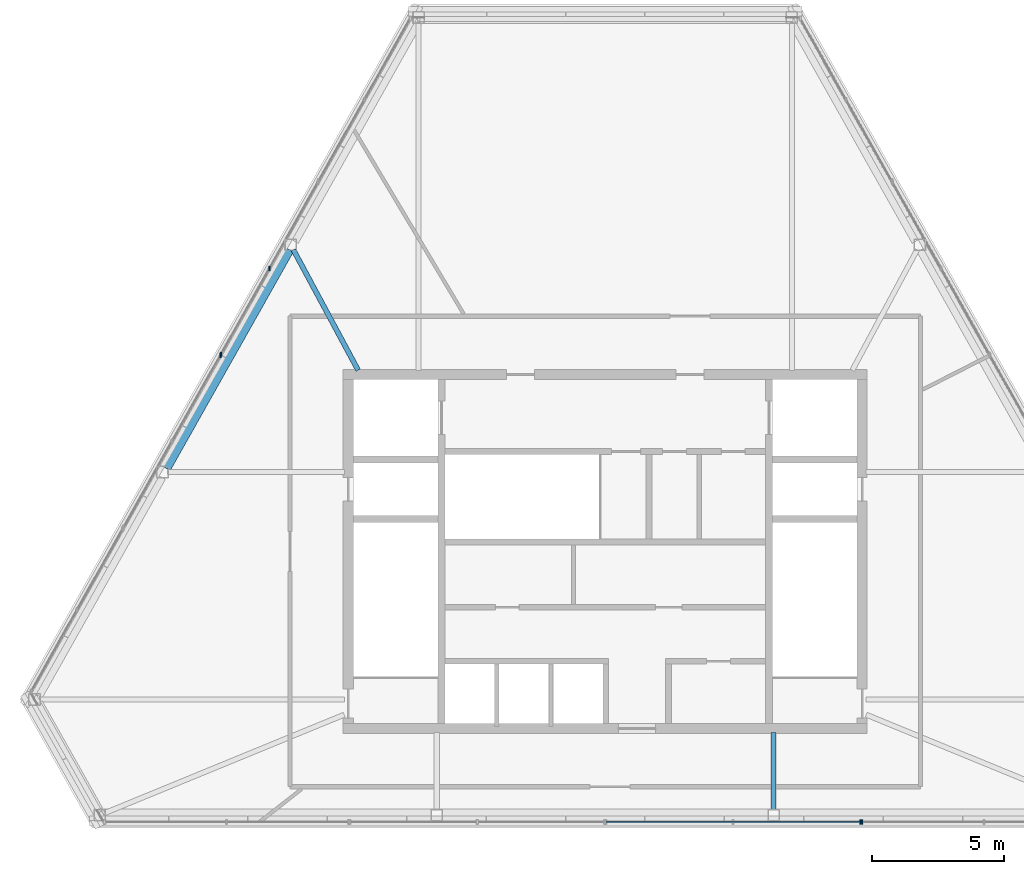
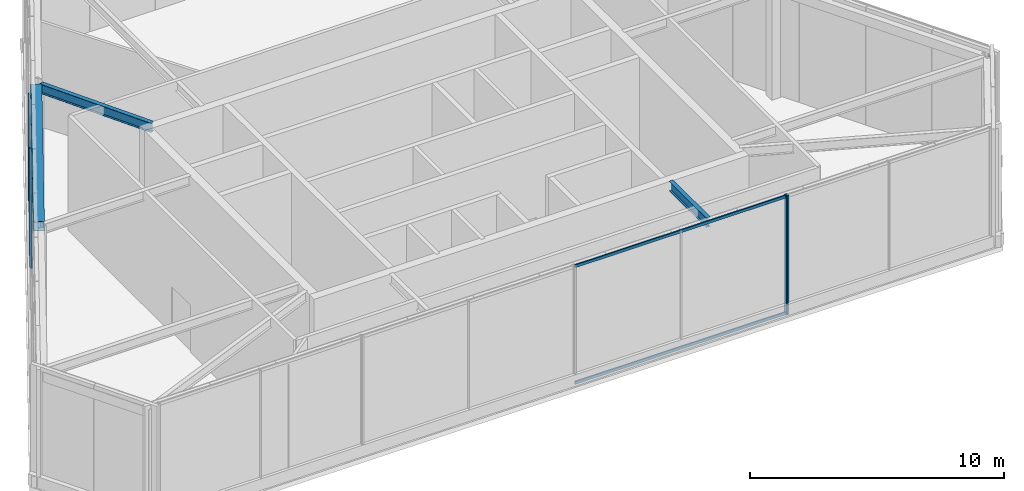
# One storey, part 3 of 11: 7 members, 3 beams, 4 elements without a shape of their own.
"""IFC4 building model written with IfcOpenShell, lengths in metres."""

import ifcopenshell
import ifcopenshell.guid

model = None  # the IFC model being written
_history = None  # IfcOwnerHistory: only IFC2X3 demands one
_inside = {}  # id of a spatial element -> (the spatial element, [elements in it])
_under = {}  # id of a project, library or spatial element -> (it, [spatial elements below it])
_declared = {}  # id of a project -> (the project, [libraries it declares])
_typed = {}  # id of a type object -> (the type object, [elements of that type])
_made_of = {}  # id of a material, layer set ... -> (it, [elements and type objects made of it])


def new_model(schema):
    """Start an empty IFC model of exactly this schema.

    Asked for "IFC4X3", IfcOpenShell would pick the latest addendum, in which some entities
    have other attributes; the version numbers below select the first issue.
    IFC2X3 requires an IfcOwnerHistory on every rooted entity: one is made here for all.
    """
    global model, _history
    if schema == "IFC4X3":
        model = ifcopenshell.file(schema_version=(4, 3, 0, 0))
    else:
        model = ifcopenshell.file(schema=schema)
    _inside.clear()
    _under.clear()
    _declared.clear()
    _typed.clear()
    _made_of.clear()
    _history = None
    if model.schema == "IFC2X3":
        org = make("IfcOrganization", Name="unknown")
        user = make(
            "IfcPersonAndOrganization",
            ThePerson=make("IfcPerson", FamilyName="unknown"),
            TheOrganization=org,
        )
        app = make(
            "IfcApplication",
            ApplicationDeveloper=org,
            Version="unknown",
            ApplicationFullName="unknown",
            ApplicationIdentifier="unknown",
        )
        _history = make(
            "IfcOwnerHistory",
            OwningUser=user,
            OwningApplication=app,
            ChangeAction="ADDED",
            CreationDate=0,
        )
    return model


def make(cls, **values):
    """One entity of the class cls with the attributes given. An attribute that is None is left unset."""
    return model.create_entity(
        cls, **{name: value for name, value in values.items() if value is not None}
    )


def rooted(cls, **values):
    """An entity with a GlobalId (a new one), such as an element, a storey or a relation."""
    return make(cls, GlobalId=ifcopenshell.guid.new(), OwnerHistory=_history, **values)


def si_unit(unit_type, name, prefix=None):
    """IfcSIUnit, for example si_unit("LENGTHUNIT", "METRE", prefix="MILLI")."""
    return make("IfcSIUnit", UnitType=unit_type, Prefix=prefix, Name=name)


def assignment(units):
    """IfcUnitAssignment: the units of a project."""
    return None if units is None else make("IfcUnitAssignment", Units=units)


def point(xyz):
    """IfcCartesianPoint."""
    return None if xyz is None else make("IfcCartesianPoint", Coordinates=xyz)


def direction(xyz):
    """IfcDirection."""
    return None if xyz is None else make("IfcDirection", DirectionRatios=xyz)


def frame(location, z_axis=None, x_axis=None):
    """IfcAxis2Placement3D, a coordinate frame: its origin and axes. An axis left out is left unset."""
    return make(
        "IfcAxis2Placement3D",
        Location=point(location),
        Axis=direction(z_axis),
        RefDirection=direction(x_axis),
    )


def frame_2d(location, x_axis=None):
    """IfcAxis2Placement2D, a coordinate frame in the plane: its origin and x axis."""
    return make(
        "IfcAxis2Placement2D", Location=point(location), RefDirection=direction(x_axis)
    )


def origin():
    """The frame at (0, 0, 0) with its axes left unset."""
    return frame((0.0, 0.0, 0.0))


def origin_2d():
    """The frame at (0, 0) in the plane with its x axis left unset."""
    return frame_2d((0.0, 0.0))


def place(relative_to, where):
    """IfcLocalPlacement: puts the frame where relative to a parent placement (None: the world)."""
    return make(
        "IfcLocalPlacement", PlacementRelTo=relative_to, RelativePlacement=where
    )


def context(
    kind, dimensions, precision=None, world=None, true_north=None, identifier=None
):
    """IfcGeometricRepresentationContext, for example the 3D "Model" context."""
    return make(
        "IfcGeometricRepresentationContext",
        ContextIdentifier=identifier,
        ContextType=kind,
        CoordinateSpaceDimension=dimensions,
        Precision=precision,
        WorldCoordinateSystem=world,
        TrueNorth=true_north,
    )


def subcontext(parent, identifier, kind, view, scale=None):
    """IfcGeometricRepresentationSubContext, for example "Body" below "Model"."""
    return make(
        "IfcGeometricRepresentationSubContext",
        ContextIdentifier=identifier,
        ContextType=kind,
        ParentContext=parent,
        TargetScale=scale,
        TargetView=view,
    )


def project(units=None, contexts=None):
    """IfcProject with its units and contexts."""
    return rooted(
        "IfcProject",
        Name="project",
        RepresentationContexts=contexts,
        UnitsInContext=assignment(units),
    )


def spatial(cls, under=None, at=None, **own):
    """A site, building, storey or space (cls), placed at a placement, below another one or the project."""
    s = rooted(cls, ObjectPlacement=at, **own)
    if under is not None:
        _under.setdefault(under.id(), (under, []))[1].append(s)
    return s


def profile(cls, at=None, kind="AREA", **sizes):
    """A parametric profile (cls). Its sizes go by their IFC names, for example OverallWidth=200.0."""
    return make(cls, ProfileType=kind, Position=at, **sizes)


def rectangle(**sizes):
    """IfcRectangleProfileDef."""
    return profile("IfcRectangleProfileDef", **sizes)


def hollow_rectangle(**sizes):
    """IfcRectangleHollowProfileDef."""
    return profile("IfcRectangleHollowProfileDef", **sizes)


def i_section(**sizes):
    """IfcIShapeProfileDef."""
    return profile("IfcIShapeProfileDef", **sizes)


def extrude(swept, where, along, depth):
    """IfcExtrudedAreaSolid: the profile swept, set in the frame where, extruded along a direction by depth."""
    return make(
        "IfcExtrudedAreaSolid",
        SweptArea=swept,
        Position=where,
        ExtrudedDirection=direction(along),
        Depth=depth,
    )


def shape(context_of_items, identifier, shape_type, items):
    """IfcShapeRepresentation: the items that make up one representation, for example the "Body"."""
    return make(
        "IfcShapeRepresentation",
        ContextOfItems=context_of_items,
        RepresentationIdentifier=identifier,
        RepresentationType=shape_type,
        Items=items,
    )


def material(Name=None, Category=None):
    """IfcMaterial."""
    return make("IfcMaterial", Name=Name, Category=Category)


def layer(
    of_material, thickness, ventilated=None, Name=None, Category=None, Priority=None
):
    """IfcMaterialLayer: one layer of a wall or slab, of a material (None: an air gap)."""
    return make(
        "IfcMaterialLayer",
        Material=of_material,
        LayerThickness=thickness,
        IsVentilated=ventilated,
        Name=Name,
        Category=Category,
        Priority=Priority,
    )


def layer_set(layers, Name=None):
    """IfcMaterialLayerSet."""
    return make("IfcMaterialLayerSet", MaterialLayers=layers, LayerSetName=Name)


def material_profile(
    of_material, cross_section, Name=None, Category=None, Priority=None
):
    """IfcMaterialProfile: a cross section and its material."""
    return make(
        "IfcMaterialProfile",
        Name=Name,
        Material=of_material,
        Profile=cross_section,
        Priority=Priority,
        Category=Category,
    )


def profile_set(profiles, Name=None, composite=None):
    """IfcMaterialProfileSet."""
    return make(
        "IfcMaterialProfileSet",
        Name=Name,
        MaterialProfiles=profiles,
        CompositeProfile=composite,
    )


def made_of(thing, what):
    """Note that an element or type object is made of a material, layer set ...; save() writes the relation."""
    if what is not None:
        _made_of.setdefault(what.id(), (what, []))[1].append(thing)
    return thing


def type_object(cls, material=None, **own):
    """A type object (cls), such as IfcWallType, which elements share."""
    return made_of(rooted(cls, **own), material)


def element(
    cls,
    number,
    at=None,
    inside=None,
    cuts=None,
    type_object=None,
    material=None,
    context=None,
    identifier="Body",
    shape_type=None,
    held_by="IfcProductDefinitionShape",
    body=None,
    shapes=None,
    **own,
):
    """One element of the class cls, such as IfcWall. Its Tag is "e" and its number.

    at: its placement. inside: the storey or other place that contains it. cuts: it is an
    opening in that element (IfcRelVoidsElement). A single representation is given by context,
    identifier, shape_type and body (its items); several are given by shapes. held_by: the class
    of the entity that holds the representations. save() writes the other relations.
    """
    e = rooted(cls, Tag="e%d" % number, ObjectPlacement=at, **own)
    if body is not None:
        shapes = [shape(context, identifier, shape_type, body)]
    if shapes is not None:
        e.Representation = make(held_by, Representations=shapes)
    if inside is not None:
        _inside.setdefault(inside.id(), (inside, []))[1].append(e)
    if cuts is not None:
        rooted(
            "IfcRelVoidsElement", RelatingBuildingElement=cuts, RelatedOpeningElement=e
        )
    if type_object is not None:
        _typed.setdefault(type_object.id(), (type_object, []))[1].append(e)
    return made_of(e, material)


def aggregate(whole, parts):
    """IfcRelAggregates: a whole, such as a stair, and the parts it consists of."""
    return rooted("IfcRelAggregates", RelatingObject=whole, RelatedObjects=parts)


def save(model, path):
    """Write the relations noted so far, then the file.

    IfcRelAggregates (storeys below a building ...), IfcRelContainedInSpatialStructure (elements
    in a storey), IfcRelDefinesByType, IfcRelAssociatesMaterial and IfcRelDeclares: one each for
    every whole, place, type object, material and project.
    """
    for whole, parts in _under.values():
        aggregate(whole, parts)
    for where, things in _inside.values():
        rooted(
            "IfcRelContainedInSpatialStructure",
            RelatedElements=things,
            RelatingStructure=where,
        )
    for kind, things in _typed.values():
        rooted("IfcRelDefinesByType", RelatedObjects=things, RelatingType=kind)
    for what, things in _made_of.values():
        rooted("IfcRelAssociatesMaterial", RelatedObjects=things, RelatingMaterial=what)
    for by, libraries in _declared.values():
        rooted("IfcRelDeclares", RelatingContext=by, RelatedDefinitions=libraries)
    model.write(path)


model = new_model("IFC4")

# Units and contexts
model_context = context("Model", 3, precision=1e-05, world=origin(), true_north=direction((0.0, 1.0)))
body_context = subcontext(model_context, "Body", "Model", "MODEL_VIEW")
ifc_project = project(units=[si_unit("LENGTHUNIT", "METRE"), si_unit("AREAUNIT", "SQUARE_METRE"), si_unit("VOLUMEUNIT", "CUBIC_METRE"), si_unit("PLANEANGLEUNIT", "RADIAN"), si_unit("MASSUNIT", "GRAM", prefix="KILO")], contexts=[model_context])

# Site, building, storey
site_placement = place(None, origin())
site = spatial("IfcSite", under=ifc_project, at=site_placement, CompositionType="ELEMENT")
building_placement = place(site_placement, origin())
building = spatial("IfcBuilding", under=site, at=building_placement, Name="Kavelnor Concourse Tower", CompositionType="ELEMENT")
storey_placement = place(building_placement, frame((0.0, 0.0, 309.949951171875)))
storey = spatial("IfcBuildingStorey", under=building, at=storey_placement, Name="L78", CompositionType="ELEMENT", Elevation=309.949951171875)

# Beams
ifc_material_1 = material(Name="Steel Grade 350", Category="steel")
ifc_material_profile_1 = material_profile(ifc_material_1, hollow_rectangle(XDim=0.449951171875, YDim=0.449951171875, WallThickness=0.02197265625, at=origin_2d()), Name="RHS 450x450x22")
ifc_profile_set_1 = profile_set([ifc_material_profile_1], Name="Steel Grade 350")
beam_type_1 = type_object("IfcBeamType", Name="BM-CROWN-RING-450", PredefinedType="BEAM", material=ifc_profile_set_1)
beam_1_placement = place(storey_placement, frame((26.02001953125, 27.52099609375, 5.295166015625), z_axis=(-0.490747896448, -0.871301613755, 0.0), x_axis=(0.871301613755, -0.490747896448, 0.0)))
element("IfcBeam", 1, at=beam_1_placement, inside=storey, type_object=beam_type_1, Name="L78 Crown Frame Ring Beam 02", PredefinedType="BEAM", context=body_context, shape_type="SweptSolid", body=[
    extrude(hollow_rectangle(XDim=0.449951171875, YDim=0.449951171875, WallThickness=0.02197265625, at=origin_2d()), origin(), (0.0, 0.0, 1.0), 9.47802734375),
])
ifc_material_profile_2 = material_profile(ifc_material_1, i_section(OverallWidth=0.18994140625, OverallDepth=0.4541015625, WebThickness=0.008544921875, FlangeThickness=0.0126953125, at=origin_2d()), Name="460UB67")
ifc_profile_set_2 = profile_set([ifc_material_profile_2], Name="Steel Grade 350")
beam_type_2 = type_object("IfcBeamType", Name="BM-PRIMARY-460", PredefinedType="BEAM", material=ifc_profile_set_2)
beam_2_placement = place(storey_placement, frame((28.6640625, 22.94482421875, 5.29296875), z_axis=(-0.473747703751, 0.880660611808, 0.0), x_axis=(-0.880660611808, -0.473747703751, 0.0)))
element("IfcBeam", 2, at=beam_2_placement, inside=storey, type_object=beam_type_2, Name="L78 Crown Frame Radial Girder F0B2", PredefinedType="BEAM", context=body_context, shape_type="SweptSolid", body=[
    extrude(i_section(OverallWidth=0.18994140625, OverallDepth=0.4541015625, WebThickness=0.008544921875, FlangeThickness=0.0126953125, at=origin_2d()), origin(), (0.0, 0.0, 1.0), 5.1689453125),
])
beam_3_placement = place(storey_placement, frame((44.366455078125, 9.260009765625, 5.29296875), z_axis=(0.0, -1.0, 0.0), x_axis=(1.0, 0.0, 0.0)))
element("IfcBeam", 3, at=beam_3_placement, inside=storey, type_object=beam_type_2, Name="L78 Crown Frame Radial Girder F1B4", PredefinedType="BEAM", context=body_context, shape_type="SweptSolid", body=[
    extrude(i_section(OverallWidth=0.18994140625, OverallDepth=0.4541015625, WebThickness=0.008544921875, FlangeThickness=0.0126953125, at=origin_2d()), origin(), (0.0, 0.0, 1.0), 2.93994140625),
])

# Curtain wall, members
ifc_material_2 = material(Name="Anodised aluminium 6063-T6", Category="aluminium")
ifc_layer = layer(ifc_material_2, 0.1650390625, Name="Anodised aluminium 6063-T6")
ifc_layer_set = layer_set([ifc_layer], Name="Anodised aluminium 6063-T6")
curtain_wall_type = type_object("IfcCurtainWallType", Name="CW-CROWN-SCREEN", PredefinedType="NOTDEFINED", material=ifc_layer_set)
curtain_wall_1_placement = place(storey_placement, origin())
curtain_wall_1 = element("IfcCurtainWall", 4, at=curtain_wall_1_placement, inside=storey, type_object=curtain_wall_type, Name="L78 Crown Fritted Screen Curtain Wall E1-S2", PredefinedType="NOTDEFINED")
ifc_material_profile_3 = material_profile(ifc_material_2, rectangle(XDim=0.06005859375, YDim=0.1650390625, at=origin_2d()), Name="AL-MULL 60x165")
ifc_profile_set_3 = profile_set([ifc_material_profile_3], Name="Anodised aluminium 6063-T6")
member_type_1 = type_object("IfcMemberType", Name="CW-CROWN-SCREEN-MULL", PredefinedType="MULLION", material=ifc_profile_set_3)
member_1_placement = place(storey_placement, frame((25.313232421875, 26.79638671875, 0.0), z_axis=(0.0, 0.0, 1.0), x_axis=(1.0, 0.0, 0.0)))
member_1 = element("IfcMember", 5, at=member_1_placement, type_object=member_type_1, Name="L78 Crown Fritted Screen Curtain Wall E1-S2 Mullion 1", PredefinedType="MULLION", context=body_context, shape_type="SweptSolid", body=[
    extrude(rectangle(XDim=0.06005859375, YDim=0.1650390625, at=origin_2d()), origin(), (0.0, 0.0, 1.0), 5.72998046875),
])
member_2_placement = place(storey_placement, frame((23.485107421875, 23.550048828125, 0.0), z_axis=(0.0, 0.0, 1.0), x_axis=(1.0, 0.0, 0.0)))
member_2 = element("IfcMember", 6, at=member_2_placement, type_object=member_type_1, Name="L78 Crown Fritted Screen Curtain Wall E1-S2 Mullion 2", PredefinedType="MULLION", context=body_context, shape_type="SweptSolid", body=[
    extrude(rectangle(XDim=0.06005859375, YDim=0.1650390625, at=origin_2d()), origin(), (0.0, 0.0, 1.0), 5.72998046875),
])
aggregate(curtain_wall_1, [member_1, member_2])

# Curtain wall, member
curtain_wall_2_placement = place(storey_placement, origin())
curtain_wall_2 = element("IfcCurtainWall", 7, at=curtain_wall_2_placement, inside=storey, type_object=curtain_wall_type, Name="L78 Crown Fritted Screen Curtain Wall E1-S3", PredefinedType="NOTDEFINED")
member_3_placement = place(storey_placement, frame((23.45556640625, 23.497802734375, 0.0), z_axis=(0.0, 0.0, 1.0), x_axis=(1.0, 0.0, 0.0)))
member_3 = element("IfcMember", 8, at=member_3_placement, type_object=member_type_1, Name="L78 Crown Fritted Screen Curtain Wall E1-S3 Mullion 0", PredefinedType="MULLION", context=body_context, shape_type="SweptSolid", body=[
    extrude(rectangle(XDim=0.06005859375, YDim=0.1650390625, at=origin_2d()), origin(), (0.0, 0.0, 1.0), 5.72998046875),
])
aggregate(curtain_wall_2, [member_3])

curtain_wall_3_placement = place(storey_placement, origin())
curtain_wall_3 = element("IfcCurtainWall", 9, at=curtain_wall_3_placement, inside=storey, type_object=curtain_wall_type, Name="L78 Crown Fritted Screen Curtain Wall E3-S3", PredefinedType="NOTDEFINED")
member_4_placement = place(storey_placement, frame((47.64013671875, 5.875, 0.0), z_axis=(0.0, 0.0, 1.0), x_axis=(1.0, 0.0, 0.0)))
member_4 = element("IfcMember", 10, at=member_4_placement, type_object=member_type_1, Name="L78 Crown Fritted Screen Curtain Wall E3-S3 Mullion 2", PredefinedType="MULLION", context=body_context, shape_type="SweptSolid", body=[
    extrude(rectangle(XDim=0.06005859375, YDim=0.1650390625, at=origin_2d()), origin(), (0.0, 0.0, 1.0), 5.72998046875),
])

curtain_wall_4_placement = place(storey_placement, origin())
curtain_wall_4 = element("IfcCurtainWall", 11, at=curtain_wall_4_placement, inside=storey, type_object=curtain_wall_type, Name="L78 Crown Fritted Screen Curtain Wall E3-S4", PredefinedType="NOTDEFINED")
member_5_placement = place(storey_placement, frame((47.7001953125, 5.875, 0.0), z_axis=(0.0, 0.0, 1.0), x_axis=(1.0, 0.0, 0.0)))
member_5 = element("IfcMember", 12, at=member_5_placement, type_object=member_type_1, Name="L78 Crown Fritted Screen Curtain Wall E3-S4 Mullion 0", PredefinedType="MULLION", context=body_context, shape_type="SweptSolid", body=[
    extrude(rectangle(XDim=0.06005859375, YDim=0.1650390625, at=origin_2d()), origin(), (0.0, 0.0, 1.0), 5.72998046875),
])
aggregate(curtain_wall_4, [member_5])

# Member
ifc_material_profile_4 = material_profile(ifc_material_2, rectangle(XDim=0.06005859375, YDim=0.135009765625, at=origin_2d()), Name="AL-TRAN 60x135")
ifc_profile_set_4 = profile_set([ifc_material_profile_4], Name="Anodised aluminium 6063-T6")
member_type_2 = type_object("IfcMemberType", Name="CW-CROWN-SCREEN-TRAN", PredefinedType="USERDEFINED", material=ifc_profile_set_4)
member_6_placement = place(storey_placement, frame((38.030029296875, 5.875, 0.06005859375), z_axis=(1.0, 0.0, 0.0), x_axis=(0.0, 1.0, 0.0)))
member_6 = element("IfcMember", 13, at=member_6_placement, type_object=member_type_2, Name="L78 Crown Fritted Screen Curtain Wall E3-S3 Transom 0-BOT", ObjectType="TRANSOM", PredefinedType="USERDEFINED", context=body_context, shape_type="SweptSolid", body=[
    extrude(rectangle(XDim=0.06005859375, YDim=0.135009765625, at=origin_2d()), origin(), (0.0, 0.0, 1.0), 9.610107421875),
])

member_7_placement = place(storey_placement, frame((38.030029296875, 5.875, 5.670166015625), z_axis=(1.0, 0.0, 0.0), x_axis=(0.0, 1.0, 0.0)))
member_7 = element("IfcMember", 14, at=member_7_placement, type_object=member_type_2, Name="L78 Crown Fritted Screen Curtain Wall E3-S3 Transom 0-TOP", ObjectType="TRANSOM", PredefinedType="USERDEFINED", context=body_context, shape_type="SweptSolid", body=[
    extrude(rectangle(XDim=0.06005859375, YDim=0.135009765625, at=origin_2d()), origin(), (0.0, 0.0, 1.0), 9.610107421875),
])

aggregate(curtain_wall_3, [member_4, member_6, member_7])

save(model, "model.ifc")
